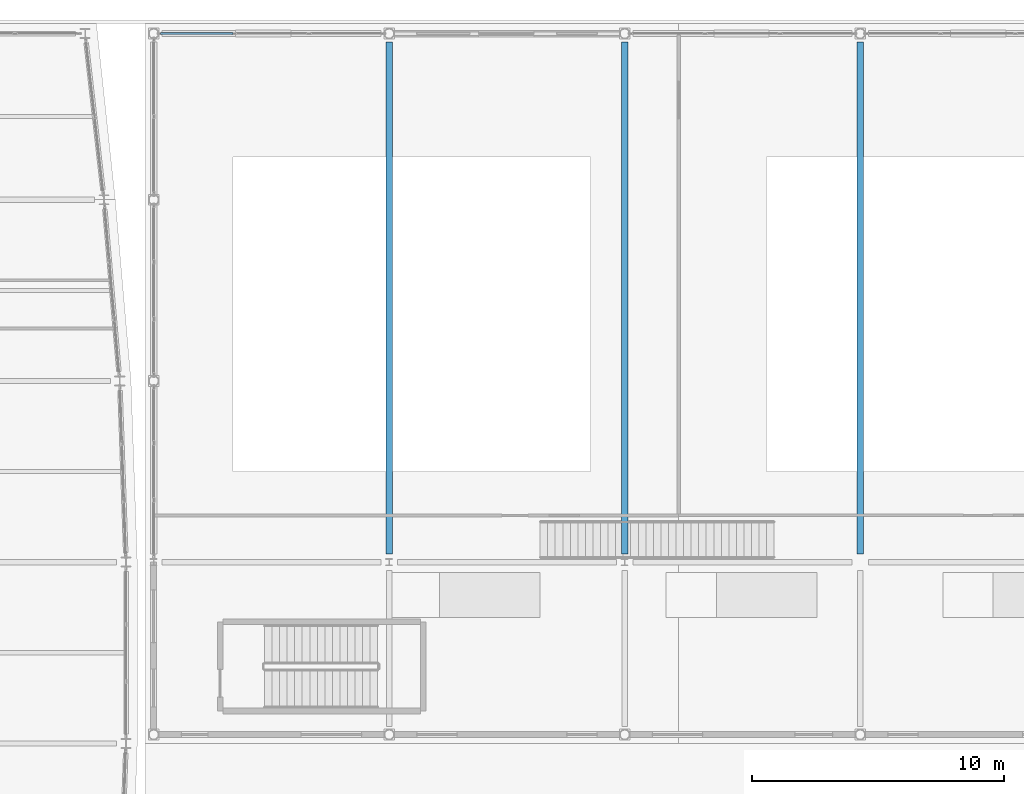
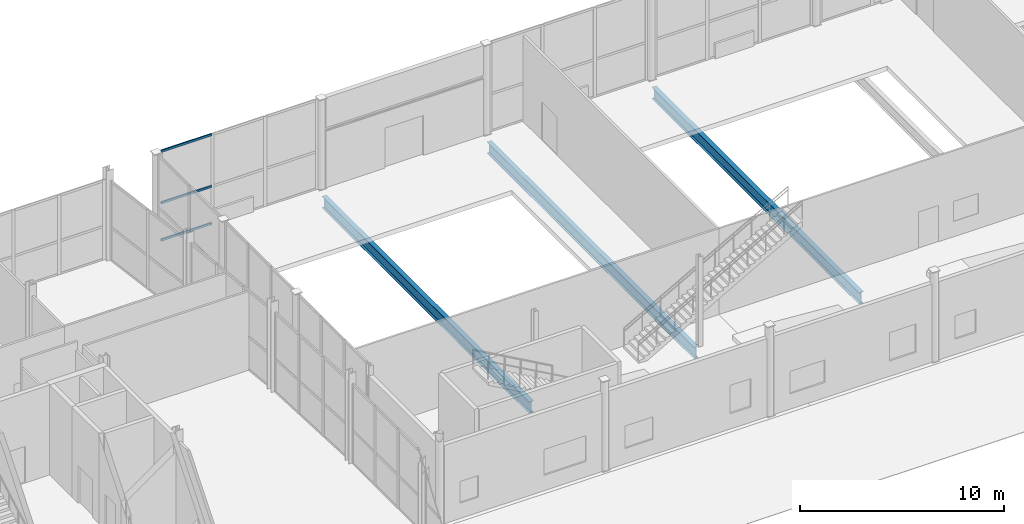
# One storey, part 38 of 83: 3 beams, 3 members, 1 element without a shape of its own.
"""IFC4 building model written with IfcOpenShell, lengths in metres."""

from ifc_helpers import new_model, si_unit, direction, frame, origin, origin_2d, place, context, subcontext, project, spatial, hollow_rectangle, i_section, extrude, material, layer, layer_set, material_profile, profile_set, type_object, element, aggregate, save


model = new_model("IFC4")

# Units and contexts
model_context = context("Model", 3, precision=1e-05, world=origin(), true_north=direction((0.0, 1.0)))
body_context = subcontext(model_context, "Body", "Model", "MODEL_VIEW")
ifc_project = project(units=[si_unit("LENGTHUNIT", "METRE"), si_unit("AREAUNIT", "SQUARE_METRE"), si_unit("VOLUMEUNIT", "CUBIC_METRE"), si_unit("PLANEANGLEUNIT", "RADIAN"), si_unit("MASSUNIT", "GRAM", prefix="KILO")], contexts=[model_context])

# Site, building, storey
site_placement = place(None, origin())
site = spatial("IfcSite", under=ifc_project, at=site_placement, CompositionType="ELEMENT")
building_placement = place(site_placement, origin())
building = spatial("IfcBuilding", under=site, at=building_placement, Name="Quillay Park Conservatory", CompositionType="ELEMENT")
storey_placement = place(building_placement, origin())
storey = spatial("IfcBuildingStorey", under=building, at=storey_placement, Name="L00", CompositionType="ELEMENT", Elevation=0.0)

# Curtain wall, members
ifc_material_1 = material(Name="Thermally Broken Anodised Aluminium 6063-T6", Category="aluminium")
ifc_layer = layer(ifc_material_1, 0.219970703125)
ifc_layer_set = layer_set([ifc_layer], Name="UNITISED CURTAIN WALL CONSERVATORY (Thermally Broken Anodised Aluminium 6063-T6)")
curtain_wall_type = type_object("IfcCurtainWallType", Name="UNITISED CURTAIN WALL CONSERVATORY", PredefinedType="USERDEFINED", material=ifc_layer_set)
curtain_wall_placement = place(storey_placement, origin())
curtain_wall = element("IfcCurtainWall", 1, at=curtain_wall_placement, inside=storey, type_object=curtain_wall_type, Name="L00 Unitised Curtain Wall 147", ObjectType="UNITISED CURTAIN WALL", PredefinedType="USERDEFINED")
ifc_material_2 = material(Name="Thermally Broken Anodised Aluminium 6063-T6", Category="aluminium")
ifc_material_profile_1 = material_profile(ifc_material_2, hollow_rectangle(XDim=0.070068359375, YDim=0.1298828125, WallThickness=0.003173828125, at=origin_2d()), Name="AL70x130x3.2")
ifc_profile_set_1 = profile_set([ifc_material_profile_1], Name="Thermally Broken Anodised Aluminium 6063-T6")
member_type = type_object("IfcMemberType", Name="CURTAIN WALL TRANSOM 70 X130", PredefinedType="USERDEFINED", material=ifc_profile_set_1)
member_1_placement = place(storey_placement, frame((30.922119140625, 113.39990234375, 0.034912109375), z_axis=(1.0, 0.0, 0.0), x_axis=(0.0, 1.0, 0.0)))
member_1 = element("IfcMember", 2, at=member_1_placement, type_object=member_type, Name="CW-C1 transom 1.1", ObjectType="TRANSOM", PredefinedType="USERDEFINED", context=body_context, shape_type="SweptSolid", body=[
    extrude(hollow_rectangle(XDim=0.070068359375, YDim=0.1298828125, WallThickness=0.003173828125, at=origin_2d()), origin(), (0.0, 0.0, 1.0), 2.878662109375),
])
member_2_placement = place(storey_placement, frame((30.922119140625, 113.39990234375, 2.26806640625), z_axis=(1.0, 0.0, 0.0), x_axis=(0.0, 1.0, 0.0)))
member_2 = element("IfcMember", 3, at=member_2_placement, type_object=member_type, Name="CW-C1 transom 1.2", ObjectType="TRANSOM", PredefinedType="USERDEFINED", context=body_context, shape_type="SweptSolid", body=[
    extrude(hollow_rectangle(XDim=0.070068359375, YDim=0.1298828125, WallThickness=0.003173828125, at=origin_2d()), origin(), (0.0, 0.0, 1.0), 2.878662109375),
])
member_3_placement = place(storey_placement, frame((30.922119140625, 113.39990234375, 5.364990234375), z_axis=(1.0, 0.0, 0.0), x_axis=(0.0, 1.0, 0.0)))
member_3 = element("IfcMember", 4, at=member_3_placement, type_object=member_type, Name="CW-C1 transom 1.3", ObjectType="TRANSOM", PredefinedType="USERDEFINED", context=body_context, shape_type="SweptSolid", body=[
    extrude(hollow_rectangle(XDim=0.070068359375, YDim=0.1298828125, WallThickness=0.003173828125, at=origin_2d()), origin(), (0.0, 0.0, 1.0), 2.878662109375),
])
aggregate(curtain_wall, [member_1, member_2, member_3])

# Beams
ifc_material_3 = material(Name="Steel ASTM A992 Grade 50", Category="steel")
ifc_material_profile_2 = material_profile(ifc_material_3, i_section(OverallWidth=0.256103515625, OverallDepth=0.693115234375, WebThickness=0.014404296875, FlangeThickness=0.023681640625, FilletRadius=0.01611328125, at=origin_2d()), Name="W690x170")
ifc_profile_set_2 = profile_set([ifc_material_profile_2], Name="Steel ASTM A992 Grade 50")
beam_type = type_object("IfcBeamType", Name="PRIMARY FLOOR GIRDER W690 X170", PredefinedType="BEAM", material=ifc_profile_set_2)
for number, where, z_axis, x_axis, name in (
    (5, (40.005615234375, 92.72509765625, -0.62646484375), (0.0, 1.0, 0.0), (-1.0, 0.0, 0.0), "L00 beam BM-V1T0-1632"),
    (6, (49.361083984375, 92.72509765625, -0.62646484375), (0.0, 1.0, 0.0), (-1.0, 0.0, 0.0), "L00 beam BM-V1T0-1634"),
    (7, (58.716796875, 92.72509765625, -0.62646484375), (0.0, 1.0, 0.0), (-1.0, 0.0, 0.0), "L00 beam BM-V1T0-1636"),
):
    element("IfcBeam", number, at=place(storey_placement, frame(where, z_axis=z_axis, x_axis=x_axis)), inside=storey, type_object=beam_type, Name=name, PredefinedType="BEAM", context=body_context, shape_type="SweptSolid", body=[
        extrude(i_section(OverallWidth=0.256103515625, OverallDepth=0.693115234375, WebThickness=0.014404296875, FlangeThickness=0.023681640625, FilletRadius=0.01611328125, at=origin_2d()), origin(), (0.0, 0.0, 1.0), 20.349853515625),
    ])

save(model, "model.ifc")
